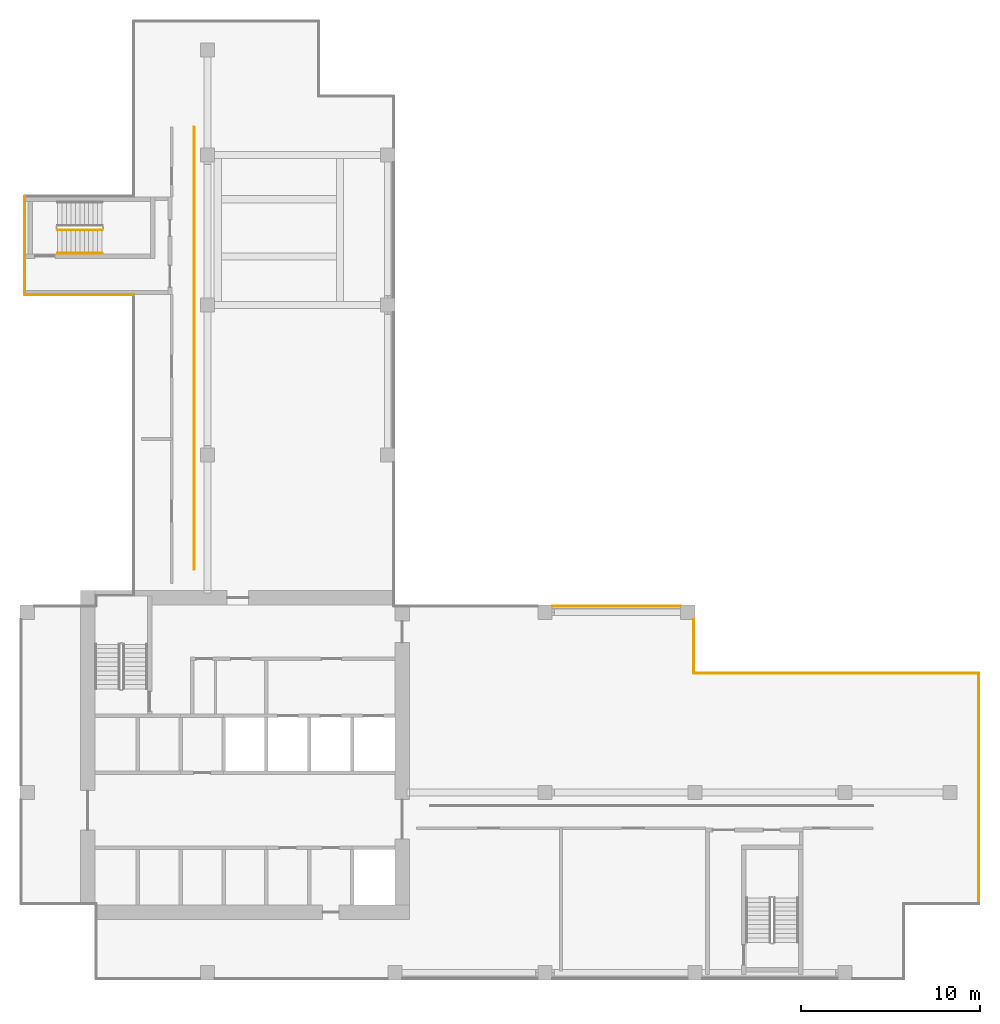
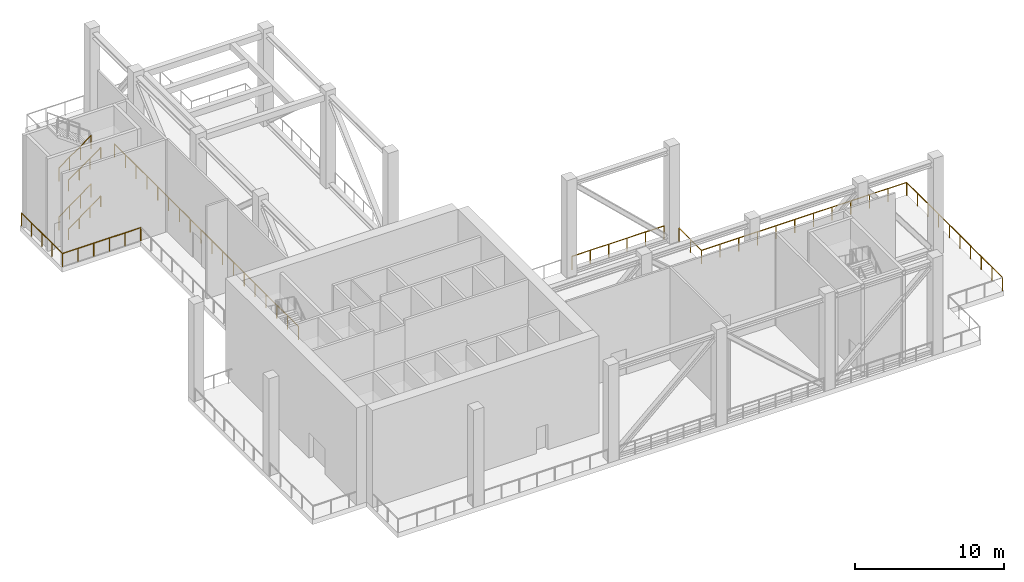
# One storey, part 8 of 9: 11 railings.
"""IFC4 building model written with IfcOpenShell, lengths in metres."""

from ifc_helpers import new_model, si_unit, direction, frame, origin, origin_2d, place, context, subcontext, project, spatial, circle, extrude, source, transform, mapped, material, type_object, element, save


model = new_model("IFC4")

# Units and contexts
model_context = context("Model", 3, precision=1e-05, world=origin(), true_north=direction((0.0, 1.0)))
body_context = subcontext(model_context, "Body", "Model", "MODEL_VIEW")
ifc_project = project(units=[si_unit("LENGTHUNIT", "METRE"), si_unit("AREAUNIT", "SQUARE_METRE"), si_unit("VOLUMEUNIT", "CUBIC_METRE"), si_unit("PLANEANGLEUNIT", "RADIAN"), si_unit("MASSUNIT", "GRAM", prefix="KILO")], contexts=[model_context])

# Site, building, storey
site_placement = place(None, origin())
site = spatial("IfcSite", under=ifc_project, at=site_placement, CompositionType="ELEMENT")
building_placement = place(site_placement, origin())
building = spatial("IfcBuilding", under=site, at=building_placement, Name="Aurelian Terraces", CompositionType="ELEMENT")
storey_placement = place(building_placement, frame((0.0, 0.0, 269.0)))
storey = spatial("IfcBuildingStorey", under=building, at=storey_placement, Name="L62", CompositionType="ELEMENT", Elevation=269.0)

# Railings
ifc_material_1 = material(Name="Anodised aluminium", Category="aluminium")
railing_type_1 = type_object("IfcRailingType", Name="GUARD-1100", PredefinedType="GUARDRAIL", material=ifc_material_1)
railing_1_placement = place(storey_placement, frame((29.82, 20.93, 0.0)))
element("IfcRailing", 1, at=railing_1_placement, inside=storey, type_object=railing_type_1, Name="Wind floor guard L62 29", PredefinedType="GUARDRAIL", context=body_context, shape_type="SweptSolid", body=[
    extrude(circle(Radius=0.024, at=origin_2d()), frame((0.0, 0.0, 1.076), z_axis=(1.0, 0.0, 0.0), x_axis=(0.0, 1.0, 0.0)), (0.0, 0.0, 1.0), 7.16),
    extrude(circle(Radius=0.021, at=origin_2d()), origin(), (0.0, 0.0, 1.0), 1.052),
    extrude(circle(Radius=0.021, at=origin_2d()), frame((1.432, 0.0, 0.0)), (0.0, 0.0, 1.0), 1.052),
    extrude(circle(Radius=0.021, at=origin_2d()), frame((2.864, 0.0, 0.0)), (0.0, 0.0, 1.0), 1.052),
    extrude(circle(Radius=0.021, at=origin_2d()), frame((4.296, 0.0, 0.0)), (0.0, 0.0, 1.0), 1.052),
    extrude(circle(Radius=0.021, at=origin_2d()), frame((5.728, 0.0, 0.0)), (0.0, 0.0, 1.0), 1.052),
    extrude(circle(Radius=0.021, at=origin_2d()), frame((7.16, 0.0, 0.0)), (0.0, 0.0, 1.0), 1.052),
])
railing_2_placement = place(storey_placement, frame((37.73, 20.18, 0.0)))
element("IfcRailing", 2, at=railing_2_placement, inside=storey, type_object=railing_type_1, Name="Wind floor guard L62 30", PredefinedType="GUARDRAIL", context=body_context, shape_type="SweptSolid", body=[
    extrude(circle(Radius=0.024, at=origin_2d()), frame((0.0, 0.0, 1.076), z_axis=(0.0, -1.0, 0.0), x_axis=(1.0, 0.0, 0.0)), (0.0, 0.0, 1.0), 3.0),
    extrude(circle(Radius=0.021, at=origin_2d()), origin(), (0.0, 0.0, 1.0), 1.052),
    extrude(circle(Radius=0.021, at=origin_2d()), frame((0.0, -1.5, 0.0)), (0.0, 0.0, 1.0), 1.052),
    extrude(circle(Radius=0.021, at=origin_2d()), frame((0.0, -3.0, 0.0)), (0.0, 0.0, 1.0), 1.052),
])
railing_3_placement = place(storey_placement, frame((37.73, 17.18, 0.0)))
element("IfcRailing", 3, at=railing_3_placement, inside=storey, type_object=railing_type_1, Name="Wind floor guard L62 31", PredefinedType="GUARDRAIL", context=body_context, shape_type="SweptSolid", body=[
    extrude(circle(Radius=0.024, at=origin_2d()), frame((0.0, 0.0, 1.076), z_axis=(1.0, 0.0, 0.0), x_axis=(0.0, 1.0, 0.0)), (0.0, 0.0, 1.0), 15.96),
    extrude(circle(Radius=0.021, at=origin_2d()), origin(), (0.0, 0.0, 1.0), 1.052),
    extrude(circle(Radius=0.021, at=origin_2d()), frame((1.4509, 0.0, 0.0)), (0.0, 0.0, 1.0), 1.052),
    extrude(circle(Radius=0.021, at=origin_2d()), frame((2.9018, 0.0, 0.0)), (0.0, 0.0, 1.0), 1.052),
    extrude(circle(Radius=0.021, at=origin_2d()), frame((4.3527, 0.0, 0.0)), (0.0, 0.0, 1.0), 1.052),
    extrude(circle(Radius=0.021, at=origin_2d()), frame((5.8036, 0.0, 0.0)), (0.0, 0.0, 1.0), 1.052),
    extrude(circle(Radius=0.021, at=origin_2d()), frame((7.2545, 0.0, 0.0)), (0.0, 0.0, 1.0), 1.052),
    extrude(circle(Radius=0.021, at=origin_2d()), frame((8.7055, 0.0, 0.0)), (0.0, 0.0, 1.0), 1.052),
    extrude(circle(Radius=0.021, at=origin_2d()), frame((10.1564, 0.0, 0.0)), (0.0, 0.0, 1.0), 1.052),
    extrude(circle(Radius=0.021, at=origin_2d()), frame((11.6073, 0.0, 0.0)), (0.0, 0.0, 1.0), 1.052),
    extrude(circle(Radius=0.021, at=origin_2d()), frame((13.0582, 0.0, 0.0)), (0.0, 0.0, 1.0), 1.052),
    extrude(circle(Radius=0.021, at=origin_2d()), frame((14.5091, 0.0, 0.0)), (0.0, 0.0, 1.0), 1.052),
    extrude(circle(Radius=0.021, at=origin_2d()), frame((15.96, 0.0, 0.0)), (0.0, 0.0, 1.0), 1.052),
])
railing_4_placement = place(storey_placement, frame((53.69, 17.18, 0.0)))
element("IfcRailing", 4, at=railing_4_placement, inside=storey, type_object=railing_type_1, Name="Wind floor guard L62 32", PredefinedType="GUARDRAIL", context=body_context, shape_type="SweptSolid", body=[
    extrude(circle(Radius=0.024, at=origin_2d()), frame((0.0, 0.0, 1.076), z_axis=(0.0, -1.0, 0.0), x_axis=(1.0, 0.0, 0.0)), (0.0, 0.0, 1.0), 12.91),
    extrude(circle(Radius=0.021, at=origin_2d()), origin(), (0.0, 0.0, 1.0), 1.052),
    extrude(circle(Radius=0.021, at=origin_2d()), frame((0.0, -1.4344, 0.0)), (0.0, 0.0, 1.0), 1.052),
    extrude(circle(Radius=0.021, at=origin_2d()), frame((0.0, -2.8689, 0.0)), (0.0, 0.0, 1.0), 1.052),
    extrude(circle(Radius=0.021, at=origin_2d()), frame((0.0, -4.3033, 0.0)), (0.0, 0.0, 1.0), 1.052),
    extrude(circle(Radius=0.021, at=origin_2d()), frame((0.0, -5.7378, 0.0)), (0.0, 0.0, 1.0), 1.052),
    extrude(circle(Radius=0.021, at=origin_2d()), frame((0.0, -7.1722, 0.0)), (0.0, 0.0, 1.0), 1.052),
    extrude(circle(Radius=0.021, at=origin_2d()), frame((0.0, -8.6067, 0.0)), (0.0, 0.0, 1.0), 1.052),
    extrude(circle(Radius=0.021, at=origin_2d()), frame((0.0, -10.0411, 0.0)), (0.0, 0.0, 1.0), 1.052),
    extrude(circle(Radius=0.021, at=origin_2d()), frame((0.0, -11.4756, 0.0)), (0.0, 0.0, 1.0), 1.052),
    extrude(circle(Radius=0.021, at=origin_2d()), frame((0.0, -12.91, 0.0)), (0.0, 0.0, 1.0), 1.052),
])
shared_shape_1 = source(origin(), body_context, "Body", "SweptSolid", [
    extrude(circle(Radius=0.024, at=origin_2d()), frame((0.0, 0.0, 1.076), z_axis=(-1.0, 0.0, 0.0), x_axis=(0.0, -1.0, 0.0)), (0.0, 0.0, 1.0), 6.1),
    extrude(circle(Radius=0.021, at=origin_2d()), origin(), (0.0, 0.0, 1.0), 1.052),
    extrude(circle(Radius=0.021, at=origin_2d()), frame((-1.22, 0.0, 0.0)), (0.0, 0.0, 1.0), 1.052),
    extrude(circle(Radius=0.021, at=origin_2d()), frame((-2.44, 0.0, 0.0)), (0.0, 0.0, 1.0), 1.052),
    extrude(circle(Radius=0.021, at=origin_2d()), frame((-3.66, 0.0, 0.0)), (0.0, 0.0, 1.0), 1.052),
    extrude(circle(Radius=0.021, at=origin_2d()), frame((-4.88, 0.0, 0.0)), (0.0, 0.0, 1.0), 1.052),
    extrude(circle(Radius=0.021, at=origin_2d()), frame((-6.1, 0.0, 0.0)), (0.0, 0.0, 1.0), 1.052),
])
railing_5_placement = place(storey_placement, frame((6.37, 38.37, 0.0)))
element("IfcRailing", 5, at=railing_5_placement, inside=storey, type_object=railing_type_1, Name="Wind floor guard L62 17", PredefinedType="GUARDRAIL", context=body_context, shape_type="MappedRepresentation", body=[
    mapped(shared_shape_1, transform((0.0, 0.0, 0.0), scale=1.0)),
])
shared_shape_2 = source(origin(), body_context, "Body", "SweptSolid", [
    extrude(circle(Radius=0.024, at=origin_2d()), frame((0.0, 0.0, 1.076), z_axis=(0.0, 1.0, 0.0), x_axis=(-1.0, 0.0, 0.0)), (0.0, 0.0, 1.0), 5.51),
    extrude(circle(Radius=0.021, at=origin_2d()), origin(), (0.0, 0.0, 1.0), 1.052),
    extrude(circle(Radius=0.021, at=origin_2d()), frame((0.0, 1.3775, 0.0)), (0.0, 0.0, 1.0), 1.052),
    extrude(circle(Radius=0.021, at=origin_2d()), frame((0.0, 2.755, 0.0)), (0.0, 0.0, 1.0), 1.052),
    extrude(circle(Radius=0.021, at=origin_2d()), frame((0.0, 4.1325, 0.0)), (0.0, 0.0, 1.0), 1.052),
    extrude(circle(Radius=0.021, at=origin_2d()), frame((0.0, 5.51, 0.0)), (0.0, 0.0, 1.0), 1.052),
])
railing_6_placement = place(storey_placement, frame((0.27, 38.37, 0.0)))
element("IfcRailing", 6, at=railing_6_placement, inside=storey, type_object=railing_type_1, Name="Wind floor guard L62 18", PredefinedType="GUARDRAIL", context=body_context, shape_type="MappedRepresentation", body=[
    mapped(shared_shape_2, transform((0.0, 0.0, 0.0), scale=1.0)),
])
shared_shape_3 = source(origin(), body_context, "Body", "SweptSolid", [
    extrude(circle(Radius=0.024, at=origin_2d()), frame((0.0, 0.0, 1.076), z_axis=(0.0, 1.0, 0.0), x_axis=(-1.0, 0.0, 0.0)), (0.0, 0.0, 1.0), 24.76),
    extrude(circle(Radius=0.021, at=origin_2d()), origin(), (0.0, 0.0, 1.0), 1.052),
    extrude(circle(Radius=0.021, at=origin_2d()), frame((0.0, 1.4565, 0.0)), (0.0, 0.0, 1.0), 1.052),
    extrude(circle(Radius=0.021, at=origin_2d()), frame((0.0, 2.9129, 0.0)), (0.0, 0.0, 1.0), 1.052),
    extrude(circle(Radius=0.021, at=origin_2d()), frame((0.0, 4.3694, 0.0)), (0.0, 0.0, 1.0), 1.052),
    extrude(circle(Radius=0.021, at=origin_2d()), frame((0.0, 5.8259, 0.0)), (0.0, 0.0, 1.0), 1.052),
    extrude(circle(Radius=0.021, at=origin_2d()), frame((0.0, 7.2824, 0.0)), (0.0, 0.0, 1.0), 1.052),
    extrude(circle(Radius=0.021, at=origin_2d()), frame((0.0, 8.7388, 0.0)), (0.0, 0.0, 1.0), 1.052),
    extrude(circle(Radius=0.021, at=origin_2d()), frame((0.0, 10.1953, 0.0)), (0.0, 0.0, 1.0), 1.052),
    extrude(circle(Radius=0.021, at=origin_2d()), frame((0.0, 11.6518, 0.0)), (0.0, 0.0, 1.0), 1.052),
    extrude(circle(Radius=0.021, at=origin_2d()), frame((0.0, 13.1082, 0.0)), (0.0, 0.0, 1.0), 1.052),
    extrude(circle(Radius=0.021, at=origin_2d()), frame((0.0, 14.5647, 0.0)), (0.0, 0.0, 1.0), 1.052),
    extrude(circle(Radius=0.021, at=origin_2d()), frame((0.0, 16.0212, 0.0)), (0.0, 0.0, 1.0), 1.052),
    extrude(circle(Radius=0.021, at=origin_2d()), frame((0.0, 17.4776, 0.0)), (0.0, 0.0, 1.0), 1.052),
    extrude(circle(Radius=0.021, at=origin_2d()), frame((0.0, 18.9341, 0.0)), (0.0, 0.0, 1.0), 1.052),
    extrude(circle(Radius=0.021, at=origin_2d()), frame((0.0, 20.3906, 0.0)), (0.0, 0.0, 1.0), 1.052),
    extrude(circle(Radius=0.021, at=origin_2d()), frame((0.0, 21.8471, 0.0)), (0.0, 0.0, 1.0), 1.052),
    extrude(circle(Radius=0.021, at=origin_2d()), frame((0.0, 23.3035, 0.0)), (0.0, 0.0, 1.0), 1.052),
    extrude(circle(Radius=0.021, at=origin_2d()), frame((0.0, 24.76, 0.0)), (0.0, 0.0, 1.0), 1.052),
])
railing_7_placement = place(storey_placement, frame((9.75, 23.0, 0.0)))
element("IfcRailing", 7, at=railing_7_placement, inside=storey, type_object=railing_type_1, Name="Plant corridor guard L62 2", PredefinedType="GUARDRAIL", context=body_context, shape_type="MappedRepresentation", body=[
    mapped(shared_shape_3, transform((0.0, 0.0, 0.0), scale=1.0)),
])
ifc_material_2 = material(Name="Stainless steel", Category="steel")
railing_type_2 = type_object("IfcRailingType", Name="Stair guard 1100", PredefinedType="GUARDRAIL", material=ifc_material_2)
shared_shape_4 = source(origin(), body_context, "Body", "SweptSolid", [
    extrude(circle(Radius=0.024, at=origin_2d()), frame((0.0, 0.0, 1.076), z_axis=(0.808733286514, 0.0, 0.588175544616), x_axis=(0.0, 1.0, 0.0)), (0.0, 0.0, 1.0), 3.0913),
    extrude(circle(Radius=0.021, at=origin_2d()), origin(), (0.0, 0.0, 1.0), 1.052),
    extrude(circle(Radius=0.021, at=origin_2d()), frame((0.8333, 0.0, 0.6061)), (0.0, 0.0, 1.0), 1.052),
    extrude(circle(Radius=0.021, at=origin_2d()), frame((1.6667, 0.0, 1.2121)), (0.0, 0.0, 1.0), 1.052),
    extrude(circle(Radius=0.021, at=origin_2d()), frame((2.5, 0.0, 1.8182)), (0.0, 0.0, 1.0), 1.052),
])
for number, where, name in (
    (8, (2.1, 42.0, 0.1818), "L62 S3 stair guard 1"),
    (9, (2.1, 42.0, 4.1818), "L62 S3 stair guard 5"),
):
    element("IfcRailing", number, at=place(storey_placement, frame(where)), inside=storey, type_object=railing_type_2, Name=name, PredefinedType="GUARDRAIL", context=body_context, shape_type="MappedRepresentation", body=[
        mapped(shared_shape_4, transform((0.0, 0.0, 0.0), scale=1.0)),
    ])
railing_type_3 = type_object("IfcRailingType", Name="Stair handrail", PredefinedType="HANDRAIL", material=ifc_material_2)
shared_shape_5 = source(origin(), body_context, "Body", "SweptSolid", [
    extrude(circle(Radius=0.024, at=origin_2d()), frame((0.0, 0.0, 0.876), z_axis=(0.808733286514, 0.0, 0.588175544616), x_axis=(0.0, 1.0, 0.0)), (0.0, 0.0, 1.0), 3.0913),
    extrude(circle(Radius=0.021, at=origin_2d()), origin(), (0.0, 0.0, 1.0), 0.852),
    extrude(circle(Radius=0.021, at=origin_2d()), frame((0.8333, 0.0, 0.6061)), (0.0, 0.0, 1.0), 0.852),
    extrude(circle(Radius=0.021, at=origin_2d()), frame((1.6667, 0.0, 1.2121)), (0.0, 0.0, 1.0), 0.852),
    extrude(circle(Radius=0.021, at=origin_2d()), frame((2.5, 0.0, 1.8182)), (0.0, 0.0, 1.0), 0.852),
])
for number, where, name in (
    (10, (2.1, 40.7, 0.1818), "L62 S3 stair handrail 1"),
    (11, (2.1, 40.7, 4.1818), "L62 S3 stair handrail 3"),
):
    element("IfcRailing", number, at=place(storey_placement, frame(where)), inside=storey, type_object=railing_type_3, Name=name, PredefinedType="HANDRAIL", context=body_context, shape_type="MappedRepresentation", body=[
        mapped(shared_shape_5, transform((0.0, 0.0, 0.0), scale=1.0)),
    ])

save(model, "model.ifc")
